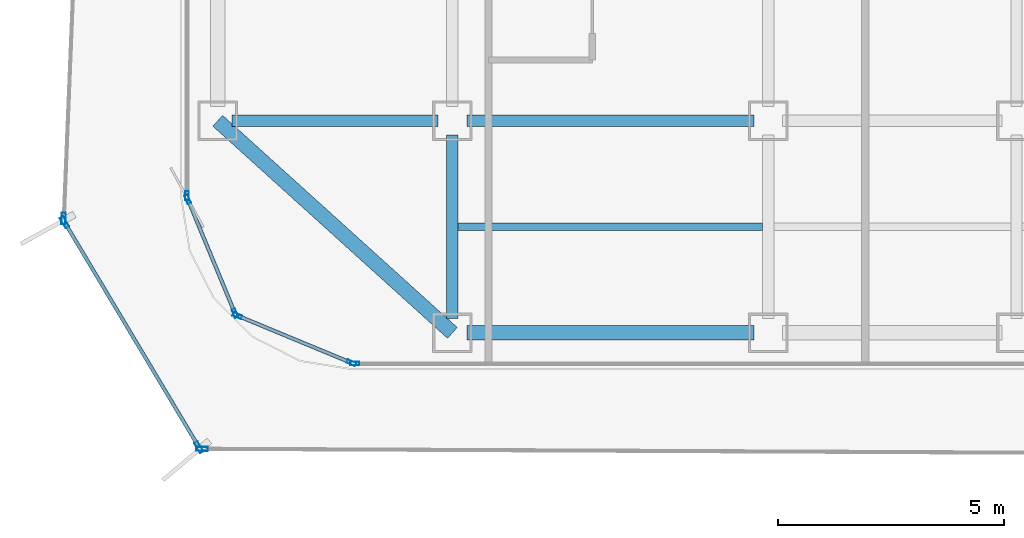
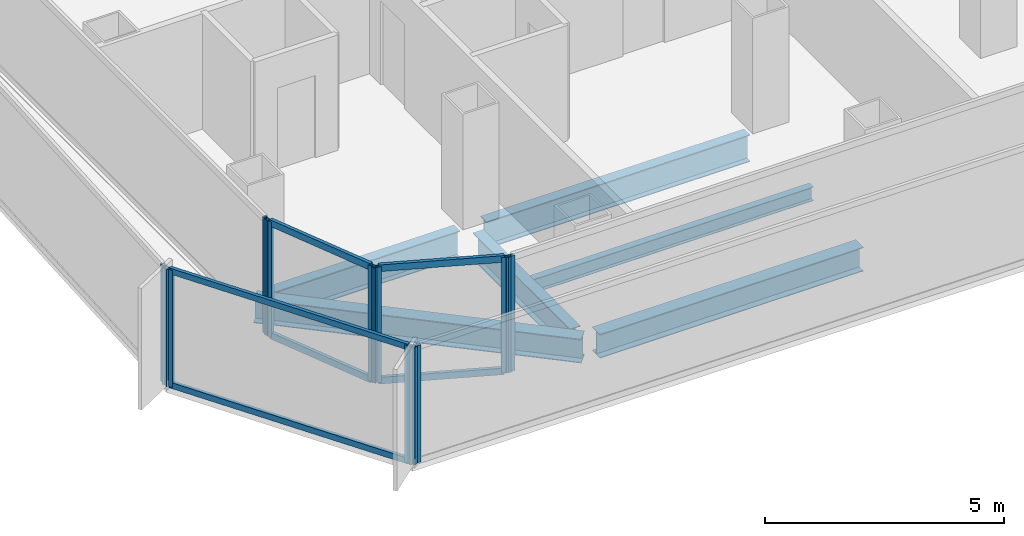
# One storey, part 2 of 21: 16 members, 6 beams, 7 elements without a shape of their own.
"""IFC4 building model written with IfcOpenShell, lengths in metres."""

from ifc_helpers import new_model, si_unit, direction, frame, origin, origin_2d, place, context, subcontext, project, spatial, hollow_rectangle, i_section, extrude, source, transform, mapped, material, layer, layer_set, material_profile, profile_set, type_object, element, aggregate, save


model = new_model("IFC4")

# Units and contexts
model_context = context("Model", 3, precision=1e-05, world=origin(), true_north=direction((0.0, 1.0)))
body_context = subcontext(model_context, "Body", "Model", "MODEL_VIEW")
ifc_project = project(units=[si_unit("LENGTHUNIT", "METRE"), si_unit("AREAUNIT", "SQUARE_METRE"), si_unit("VOLUMEUNIT", "CUBIC_METRE"), si_unit("PLANEANGLEUNIT", "RADIAN"), si_unit("MASSUNIT", "GRAM", prefix="KILO")], contexts=[model_context])

# Site, building, storey
site_placement = place(None, origin())
site = spatial("IfcSite", under=ifc_project, at=site_placement, CompositionType="ELEMENT")
building_placement = place(site_placement, origin())
building = spatial("IfcBuilding", under=site, at=building_placement, Name="Kolveth Station Tower", CompositionType="ELEMENT")
storey_placement = place(building_placement, frame((0.0, 0.0, 92.699951171875)))
storey = spatial("IfcBuildingStorey", under=building, at=storey_placement, Name="L24", CompositionType="ELEMENT", Elevation=92.699951171875)

# Beams
ifc_material_1 = material(Name="Steel S355", Category="steel")
ifc_material_profile_1 = material_profile(ifc_material_1, i_section(OverallWidth=0.323974609375, OverallDepth=0.611083984375, WebThickness=0.0126953125, FlangeThickness=0.01904296875, at=origin_2d()), Name="W610x155")
ifc_profile_set_1 = profile_set([ifc_material_profile_1], Name="Steel S355")
beam_type_1 = type_object("IfcBeamType", Name="Beam_SP2", PredefinedType="SPANDREL", material=ifc_profile_set_1)
shared_shape_1 = source(origin(), body_context, "Body", "SweptSolid", [
    extrude(i_section(OverallWidth=0.323974609375, OverallDepth=0.611083984375, WebThickness=0.0126953125, FlangeThickness=0.01904296875, at=origin_2d()), origin(), (0.0, 0.0, 1.0), 6.35986328125),
])
beam_1_placement = place(storey_placement, frame((6.320068359375, 0.800048828125, -0.555419921875), z_axis=(1.0, 0.0, 0.0), x_axis=(0.0, 1.0, 0.0)))
element("IfcBeam", 1, at=beam_1_placement, inside=storey, type_object=beam_type_1, Name="L24 Perimeter Spandrel BM-L24-PS-1", PredefinedType="SPANDREL", context=body_context, shape_type="MappedRepresentation", body=[
    mapped(shared_shape_1, transform((0.0, 0.0, 0.0), x_axis=(1.0, 0.0, 0.0), y_axis=(0.0, 1.0, 0.0), z_axis=(0.0, 0.0, 1.0), scale=1.0)),
])
shared_shape_2 = source(origin(), body_context, "Body", "SweptSolid", [
    extrude(i_section(OverallWidth=0.323974609375, OverallDepth=0.611083984375, WebThickness=0.0126953125, FlangeThickness=0.01904296875, at=origin_2d()), origin(), (0.0, 0.0, 1.0), 7.00927734375),
])
beam_2_placement = place(storey_placement, frame((0.800048828125, 5.5, -0.555419921875), z_axis=(0.741874009795, -0.670539300557, 0.0), x_axis=(0.670539300557, 0.741874009795, 0.0)))
element("IfcBeam", 2, at=beam_2_placement, inside=storey, type_object=beam_type_1, Name="L24 Corner Edge Girder BM-L24-CNR-SW", PredefinedType="SPANDREL", context=body_context, shape_type="MappedRepresentation", body=[
    mapped(shared_shape_2, transform((0.0, 0.0, 0.0), x_axis=(1.0, 0.0, 0.0), y_axis=(0.0, 1.0, 0.0), z_axis=(0.0, 0.0, 1.0), scale=1.0)),
])
ifc_material_profile_2 = material_profile(ifc_material_1, i_section(OverallWidth=0.25390625, OverallDepth=0.68798828125, WebThickness=0.01318359375, FlangeThickness=0.02099609375, at=origin_2d()), Name="W690x152")
ifc_profile_set_2 = profile_set([ifc_material_profile_2], Name="Steel S355")
beam_type_2 = type_object("IfcBeamType", Name="Beam_B4", PredefinedType="BEAM", material=ifc_profile_set_2)
shared_shape_3 = source(origin(), body_context, "Body", "SweptSolid", [
    extrude(i_section(OverallWidth=0.25390625, OverallDepth=0.68798828125, WebThickness=0.01318359375, FlangeThickness=0.02099609375, at=origin_2d()), origin(), (0.0, 0.0, 1.0), 4.559814453125),
])
beam_3_placement = place(storey_placement, frame((1.1201171875, 5.5, -0.593994140625), z_axis=(1.0, 0.0, 0.0), x_axis=(0.0, 1.0, 0.0)))
element("IfcBeam", 3, at=beam_3_placement, inside=storey, type_object=beam_type_2, Name="L24 Primary Girder BM-L24-GY55-1", PredefinedType="BEAM", context=body_context, shape_type="MappedRepresentation", body=[
    mapped(shared_shape_3, transform((0.0, 0.0, 0.0), x_axis=(1.0, 0.0, 0.0), y_axis=(0.0, 1.0, 0.0), z_axis=(0.0, 0.0, 1.0), scale=1.0)),
])
shared_shape_4 = source(origin(), body_context, "Body", "SweptSolid", [
    extrude(i_section(OverallWidth=0.25390625, OverallDepth=0.68798828125, WebThickness=0.01318359375, FlangeThickness=0.02099609375, at=origin_2d()), origin(), (0.0, 0.0, 1.0), 6.35986328125),
])
beam_4_placement = place(storey_placement, frame((6.320068359375, 5.5, -0.593994140625), z_axis=(1.0, 0.0, 0.0), x_axis=(0.0, 1.0, 0.0)))
element("IfcBeam", 4, at=beam_4_placement, inside=storey, type_object=beam_type_2, Name="L24 Primary Girder BM-L24-GY55-2", PredefinedType="BEAM", context=body_context, shape_type="MappedRepresentation", body=[
    mapped(shared_shape_4, transform((0.0, 0.0, 0.0), x_axis=(1.0, 0.0, 0.0), y_axis=(0.0, 1.0, 0.0), z_axis=(0.0, 0.0, 1.0), scale=1.0)),
])
shared_shape_5 = source(origin(), body_context, "Body", "SweptSolid", [
    extrude(i_section(OverallWidth=0.25390625, OverallDepth=0.68798828125, WebThickness=0.01318359375, FlangeThickness=0.02099609375, at=origin_2d()), origin(), (0.0, 0.0, 1.0), 4.059814453125),
])
beam_5_placement = place(storey_placement, frame((6.0, 1.1201171875, -0.593994140625), z_axis=(0.0, 1.0, 0.0), x_axis=(-1.0, 0.0, 0.0)))
element("IfcBeam", 5, at=beam_5_placement, inside=storey, type_object=beam_type_2, Name="L24 Primary Girder BM-L24-GX60-1", PredefinedType="BEAM", context=body_context, shape_type="MappedRepresentation", body=[
    mapped(shared_shape_5, transform((0.0, 0.0, 0.0), x_axis=(1.0, 0.0, 0.0), y_axis=(0.0, 1.0, 0.0), z_axis=(0.0, 0.0, 1.0), scale=1.0)),
])
ifc_material_profile_3 = material_profile(ifc_material_1, i_section(OverallWidth=0.1708984375, OverallDepth=0.35205078125, WebThickness=0.0068359375, FlangeThickness=0.009765625, at=origin_2d()), Name="W360x44")
ifc_profile_set_3 = profile_set([ifc_material_profile_3], Name="Steel S355")
beam_type_3 = type_object("IfcBeamType", Name="Beam_J2", PredefinedType="JOIST", material=ifc_profile_set_3)
shared_shape_6 = source(origin(), body_context, "Body", "SweptSolid", [
    extrude(i_section(OverallWidth=0.1708984375, OverallDepth=0.35205078125, WebThickness=0.0068359375, FlangeThickness=0.009765625, at=origin_2d()), origin(), (0.0, 0.0, 1.0), 6.75),
])
beam_6_placement = place(storey_placement, frame((6.125, 3.14990234375, -0.426025390625), z_axis=(1.0, 0.0, 0.0), x_axis=(0.0, 1.0, 0.0)))
element("IfcBeam", 6, at=beam_6_placement, inside=storey, type_object=beam_type_3, Name="L24 Secondary Joist JST-L24-2-1", PredefinedType="JOIST", context=body_context, shape_type="MappedRepresentation", body=[
    mapped(shared_shape_6, transform((0.0, 0.0, 0.0), x_axis=(1.0, 0.0, 0.0), y_axis=(0.0, 1.0, 0.0), z_axis=(0.0, 0.0, 1.0), scale=1.0)),
])

# Curtain wall, member
ifc_material_2 = material(Name="Aluminium 6063-T6 and low-E dark glass", Category="aluminium")
ifc_layer_1 = layer(ifc_material_2, 0.18994140625)
ifc_layer_set_1 = layer_set([ifc_layer_1], Name="Aluminium 6063-T6 and low-E dark glass")
curtain_wall_type_1 = type_object("IfcCurtainWallType", Name="CurtainWall_CW-Z2", PredefinedType="NOTDEFINED", material=ifc_layer_set_1)
curtain_wall_1_placement = place(storey_placement, origin())
curtain_wall_1 = element("IfcCurtainWall", 7, at=curtain_wall_1_placement, inside=storey, type_object=curtain_wall_type_1, Name="L24 Inner Thermal Curtain Wall 9", PredefinedType="NOTDEFINED")
ifc_material_3 = material(Name="Black anodized aluminium 6063-T6", Category="aluminium")
ifc_material_profile_4 = material_profile(ifc_material_3, hollow_rectangle(XDim=0.080078125, YDim=0.199951171875, WallThickness=0.0048828125, at=origin_2d()), Name="ALU-80x200x5")
ifc_profile_set_4 = profile_set([ifc_material_profile_4], Name="Black anodized aluminium 6063-T6")
member_type_1 = type_object("IfcMemberType", Name="Mullion_ML2", PredefinedType="MULLION", material=ifc_profile_set_4)
shared_shape_7 = source(origin(), body_context, "Body", "SweptSolid", [
    extrude(hollow_rectangle(XDim=0.080078125, YDim=0.199951171875, WallThickness=0.0048828125, at=origin_2d()), origin(), (0.0, 0.0, 1.0), 2.949951171875),
])
member_1_placement = place(storey_placement, frame((0.1201171875, 3.840087890625, 0.0), z_axis=(0.0, 0.0, 1.0), x_axis=(1.0, 0.0, 0.0)))
member_1 = element("IfcMember", 8, at=member_1_placement, type_object=member_type_1, Name="CW-Z2 mullion 2", PredefinedType="MULLION", context=body_context, shape_type="MappedRepresentation", body=[
    mapped(shared_shape_7, transform((0.0, 0.0, 0.0), x_axis=(1.0, 0.0, 0.0), y_axis=(0.0, 1.0, 0.0), z_axis=(0.0, 0.0, 1.0), scale=1.0)),
])
aggregate(curtain_wall_1, [member_1])

# Curtain wall, members
curtain_wall_2_placement = place(storey_placement, origin())
curtain_wall_2 = element("IfcCurtainWall", 9, at=curtain_wall_2_placement, inside=storey, type_object=curtain_wall_type_1, Name="L24 Inner Thermal Curtain Wall 10", PredefinedType="NOTDEFINED")
member_2_placement = place(storey_placement, frame((0.13525390625, 3.762939453125, 0.0), z_axis=(0.0, 0.0, 1.0), x_axis=(0.923887883787, 0.38266326998, 0.0)))
member_2 = element("IfcMember", 10, at=member_2_placement, type_object=member_type_1, Name="CW-Z2 mullion 1", PredefinedType="MULLION", context=body_context, shape_type="MappedRepresentation", body=[
    mapped(shared_shape_7, transform((0.0, 0.0, 0.0), x_axis=(1.0, 0.0, 0.0), y_axis=(0.0, 1.0, 0.0), z_axis=(0.0, 0.0, 1.0), scale=1.0)),
])
member_3_placement = place(storey_placement, frame((1.182373046875, 1.23486328125, 0.0), z_axis=(0.0, 0.0, 1.0), x_axis=(0.923887883787, 0.38266326998, 0.0)))
member_3 = element("IfcMember", 11, at=member_3_placement, type_object=member_type_1, Name="CW-Z2 mullion 2", PredefinedType="MULLION", context=body_context, shape_type="MappedRepresentation", body=[
    mapped(shared_shape_7, transform((0.0, 0.0, 0.0), x_axis=(1.0, 0.0, 0.0), y_axis=(0.0, 1.0, 0.0), z_axis=(0.0, 0.0, 1.0), scale=1.0)),
])

curtain_wall_3_placement = place(storey_placement, origin())
curtain_wall_3 = element("IfcCurtainWall", 12, at=curtain_wall_3_placement, inside=storey, type_object=curtain_wall_type_1, Name="L24 Inner Thermal Curtain Wall 11", PredefinedType="NOTDEFINED")
member_4_placement = place(storey_placement, frame((1.23486328125, 1.182373046875, 0.0), z_axis=(0.0, 0.0, 1.0), x_axis=(0.38266326998, 0.923887883787, 0.0)))
member_4 = element("IfcMember", 13, at=member_4_placement, type_object=member_type_1, Name="CW-Z2 mullion 1", PredefinedType="MULLION", context=body_context, shape_type="MappedRepresentation", body=[
    mapped(shared_shape_7, transform((0.0, 0.0, 0.0), x_axis=(1.0, 0.0, 0.0), y_axis=(0.0, 1.0, 0.0), z_axis=(0.0, 0.0, 1.0), scale=1.0)),
])
member_5_placement = place(storey_placement, frame((3.762939453125, 0.13525390625, 0.0), z_axis=(0.0, 0.0, 1.0), x_axis=(0.38266326998, 0.923887883787, 0.0)))
member_5 = element("IfcMember", 14, at=member_5_placement, type_object=member_type_1, Name="CW-Z2 mullion 2", PredefinedType="MULLION", context=body_context, shape_type="MappedRepresentation", body=[
    mapped(shared_shape_7, transform((0.0, 0.0, 0.0), x_axis=(1.0, 0.0, 0.0), y_axis=(0.0, 1.0, 0.0), z_axis=(0.0, 0.0, 1.0), scale=1.0)),
])

# Curtain wall, member
curtain_wall_4_placement = place(storey_placement, origin())
curtain_wall_4 = element("IfcCurtainWall", 15, at=curtain_wall_4_placement, inside=storey, type_object=curtain_wall_type_1, Name="L24 Inner Thermal Curtain Wall 12", PredefinedType="NOTDEFINED")
member_6_placement = place(storey_placement, frame((3.840087890625, 0.1201171875, 0.0), z_axis=(0.0, 0.0, 1.0), x_axis=(0.0, 1.0, 0.0)))
member_6 = element("IfcMember", 16, at=member_6_placement, type_object=member_type_1, Name="CW-Z2 mullion 1", PredefinedType="MULLION", context=body_context, shape_type="MappedRepresentation", body=[
    mapped(shared_shape_7, transform((0.0, 0.0, 0.0), x_axis=(1.0, 0.0, 0.0), y_axis=(0.0, 1.0, 0.0), z_axis=(0.0, 0.0, 1.0), scale=1.0)),
])
aggregate(curtain_wall_4, [member_6])

# Member
ifc_material_profile_5 = material_profile(ifc_material_3, hollow_rectangle(XDim=0.080078125, YDim=0.169921875, WallThickness=0.0048828125, at=origin_2d()), Name="ALU-80x170x5")
ifc_profile_set_5 = profile_set([ifc_material_profile_5], Name="Black anodized aluminium 6063-T6")
member_type_2 = type_object("IfcMemberType", Name="Transom_TR2", PredefinedType="USERDEFINED", material=ifc_profile_set_5)
shared_shape_8 = source(origin(), body_context, "Body", "SweptSolid", [
    extrude(hollow_rectangle(XDim=0.080078125, YDim=0.169921875, WallThickness=0.0048828125, at=origin_2d()), origin(), (0.0, 0.0, 1.0), 2.656494140625),
])
member_7_placement = place(storey_placement, frame((0.150634765625, 3.72607421875, 0.0400390625), z_axis=(0.382676455475, -0.923882422403, 0.0), x_axis=(0.923882422403, 0.382676455475, 0.0)))
member_7 = element("IfcMember", 17, at=member_7_placement, type_object=member_type_2, Name="CW-Z2 transom 1.1", ObjectType="TRANSOM", PredefinedType="USERDEFINED", context=body_context, shape_type="MappedRepresentation", body=[
    mapped(shared_shape_8, transform((0.0, 0.0, 0.0), x_axis=(1.0, 0.0, 0.0), y_axis=(0.0, 1.0, 0.0), z_axis=(0.0, 0.0, 1.0), scale=1.0)),
])

member_8_placement = place(storey_placement, frame((0.150634765625, 3.72607421875, 2.91015625), z_axis=(0.382676455475, -0.923882422403, 0.0), x_axis=(0.923882422403, 0.382676455475, 0.0)))
member_8 = element("IfcMember", 18, at=member_8_placement, type_object=member_type_2, Name="CW-Z2 transom 1.2", ObjectType="TRANSOM", PredefinedType="USERDEFINED", context=body_context, shape_type="MappedRepresentation", body=[
    mapped(shared_shape_8, transform((0.0, 0.0, 0.0), x_axis=(1.0, 0.0, 0.0), y_axis=(0.0, 1.0, 0.0), z_axis=(0.0, 0.0, 1.0), scale=1.0)),
])

aggregate(curtain_wall_2, [member_2, member_3, member_7, member_8])

member_9_placement = place(storey_placement, frame((1.271728515625, 1.167236328125, 0.0400390625), z_axis=(0.923882422403, -0.382676455475, 0.0), x_axis=(0.382676455475, 0.923882422403, 0.0)))
member_9 = element("IfcMember", 19, at=member_9_placement, type_object=member_type_2, Name="CW-Z2 transom 1.1", ObjectType="TRANSOM", PredefinedType="USERDEFINED", context=body_context, shape_type="MappedRepresentation", body=[
    mapped(shared_shape_8, transform((0.0, 0.0, 0.0), x_axis=(1.0, 0.0, 0.0), y_axis=(0.0, 1.0, 0.0), z_axis=(0.0, 0.0, 1.0), scale=1.0)),
])

member_10_placement = place(storey_placement, frame((1.271728515625, 1.167236328125, 2.91015625), z_axis=(0.923882422403, -0.382676455475, 0.0), x_axis=(0.382676455475, 0.923882422403, 0.0)))
member_10 = element("IfcMember", 20, at=member_10_placement, type_object=member_type_2, Name="CW-Z2 transom 1.2", ObjectType="TRANSOM", PredefinedType="USERDEFINED", context=body_context, shape_type="MappedRepresentation", body=[
    mapped(shared_shape_8, transform((0.0, 0.0, 0.0), x_axis=(1.0, 0.0, 0.0), y_axis=(0.0, 1.0, 0.0), z_axis=(0.0, 0.0, 1.0), scale=1.0)),
])

aggregate(curtain_wall_3, [member_4, member_5, member_9, member_10])

# Curtain wall, member
ifc_material_4 = material(Name="Black anodized aluminium 6063-T6 and dark solar glass", Category="aluminium")
ifc_layer_2 = layer(ifc_material_4, 0.159912109375)
ifc_layer_set_2 = layer_set([ifc_layer_2], Name="Black anodized aluminium 6063-T6 and dark solar glass")
curtain_wall_type_2 = type_object("IfcCurtainWallType", Name="OUTER SKIN CW-OS", PredefinedType="NOTDEFINED", material=ifc_layer_set_2)
curtain_wall_5_placement = place(storey_placement, origin())
curtain_wall_5 = element("IfcCurtainWall", 21, at=curtain_wall_5_placement, inside=storey, type_object=curtain_wall_type_2, Name="L24 Outer Ventilated Skin Curtain Wall 6", PredefinedType="NOTDEFINED")
ifc_material_profile_6 = material_profile(ifc_material_3, hollow_rectangle(XDim=0.090087890625, YDim=0.260009765625, WallThickness=0.0048828125, at=origin_2d()), Name="ALU-90x260x5")
ifc_profile_set_6 = profile_set([ifc_material_profile_6], Name="Black anodized aluminium 6063-T6")
member_type_3 = type_object("IfcMemberType", Name="FIN MULLION ML-OS", PredefinedType="MULLION", material=ifc_profile_set_6)
shared_shape_9 = source(origin(), body_context, "Body", "SweptSolid", [
    extrude(hollow_rectangle(XDim=0.090087890625, YDim=0.260009765625, WallThickness=0.0048828125, at=origin_2d()), origin(), (0.0, 0.0, 1.0), 2.989990234375),
])
member_11_placement = place(storey_placement, frame((-2.615478515625, 3.33544921875, 0.0), z_axis=(0.0, 0.0, 1.0), x_axis=(0.999168119643, -0.040780739196, 0.0)))
member_11 = element("IfcMember", 22, at=member_11_placement, type_object=member_type_3, Name="CW-OS mullion 2", PredefinedType="MULLION", context=body_context, shape_type="MappedRepresentation", body=[
    mapped(shared_shape_9, transform((0.0, 0.0, 0.0), x_axis=(1.0, 0.0, 0.0), y_axis=(0.0, 1.0, 0.0), z_axis=(0.0, 0.0, 1.0), scale=1.0)),
])
aggregate(curtain_wall_5, [member_11])

# Curtain wall, members
curtain_wall_6_placement = place(storey_placement, origin())
curtain_wall_6 = element("IfcCurtainWall", 23, at=curtain_wall_6_placement, inside=storey, type_object=curtain_wall_type_2, Name="L24 Outer Ventilated Skin Curtain Wall 7", PredefinedType="NOTDEFINED")
member_12_placement = place(storey_placement, frame((-2.59423828125, 3.251953125, 0.0), z_axis=(0.0, 0.0, 1.0), x_axis=(0.858544617056, 0.512738861921, 0.0)))
member_12 = element("IfcMember", 24, at=member_12_placement, type_object=member_type_3, Name="CW-OS mullion 1", PredefinedType="MULLION", context=body_context, shape_type="MappedRepresentation", body=[
    mapped(shared_shape_9, transform((0.0, 0.0, 0.0), x_axis=(1.0, 0.0, 0.0), y_axis=(0.0, 1.0, 0.0), z_axis=(0.0, 0.0, 1.0), scale=1.0)),
])
member_13_placement = place(storey_placement, frame((0.3828125, -1.733154296875, 0.0), z_axis=(0.0, 0.0, 1.0), x_axis=(0.858544617056, 0.512738861921, 0.0)))
member_13 = element("IfcMember", 25, at=member_13_placement, type_object=member_type_3, Name="CW-OS mullion 2", PredefinedType="MULLION", context=body_context, shape_type="MappedRepresentation", body=[
    mapped(shared_shape_9, transform((0.0, 0.0, 0.0), x_axis=(1.0, 0.0, 0.0), y_axis=(0.0, 1.0, 0.0), z_axis=(0.0, 0.0, 1.0), scale=1.0)),
])

# Curtain wall, member
curtain_wall_7_placement = place(storey_placement, origin())
curtain_wall_7 = element("IfcCurtainWall", 26, at=curtain_wall_7_placement, inside=storey, type_object=curtain_wall_type_2, Name="L24 Outer Ventilated Skin Curtain Wall 8", PredefinedType="NOTDEFINED")
member_14_placement = place(storey_placement, frame((0.450927734375, -1.77197265625, 0.0), z_axis=(0.0, 0.0, 1.0), x_axis=(0.004783441872, 0.999988559276, 0.0)))
member_14 = element("IfcMember", 27, at=member_14_placement, type_object=member_type_3, Name="CW-OS mullion 1", PredefinedType="MULLION", context=body_context, shape_type="MappedRepresentation", body=[
    mapped(shared_shape_9, transform((0.0, 0.0, 0.0), x_axis=(1.0, 0.0, 0.0), y_axis=(0.0, 1.0, 0.0), z_axis=(0.0, 0.0, 1.0), scale=1.0)),
])
aggregate(curtain_wall_7, [member_14])

# Member
ifc_material_profile_7 = material_profile(ifc_material_3, hollow_rectangle(XDim=0.080078125, YDim=0.14990234375, WallThickness=0.0048828125, at=origin_2d()), Name="ALU-80x150x5")
ifc_profile_set_7 = profile_set([ifc_material_profile_7], Name="Black anodized aluminium 6063-T6")
member_type_4 = type_object("IfcMemberType", Name="Transom_TR-OS", PredefinedType="USERDEFINED", material=ifc_profile_set_7)
shared_shape_10 = source(origin(), body_context, "Body", "SweptSolid", [
    extrude(hollow_rectangle(XDim=0.080078125, YDim=0.14990234375, WallThickness=0.0048828125, at=origin_2d()), origin(), (0.0, 0.0, 1.0), 5.71630859375),
])
member_15_placement = place(storey_placement, frame((-2.5712890625, 3.213134765625, 0.0400390625), z_axis=(0.512761231408, -0.858531257186, 0.0), x_axis=(0.858531257186, 0.512761231408, 0.0)))
member_15 = element("IfcMember", 28, at=member_15_placement, type_object=member_type_4, Name="CW-OS transom 1.1", ObjectType="TRANSOM", PredefinedType="USERDEFINED", context=body_context, shape_type="MappedRepresentation", body=[
    mapped(shared_shape_10, transform((0.0, 0.0, 0.0), x_axis=(1.0, 0.0, 0.0), y_axis=(0.0, 1.0, 0.0), z_axis=(0.0, 0.0, 1.0), scale=1.0)),
])

member_16_placement = place(storey_placement, frame((-2.5712890625, 3.213134765625, 2.949951171875), z_axis=(0.512761231408, -0.858531257186, 0.0), x_axis=(0.858531257186, 0.512761231408, 0.0)))
member_16 = element("IfcMember", 29, at=member_16_placement, type_object=member_type_4, Name="CW-OS transom 1.2", ObjectType="TRANSOM", PredefinedType="USERDEFINED", context=body_context, shape_type="MappedRepresentation", body=[
    mapped(shared_shape_10, transform((0.0, 0.0, 0.0), x_axis=(1.0, 0.0, 0.0), y_axis=(0.0, 1.0, 0.0), z_axis=(0.0, 0.0, 1.0), scale=1.0)),
])

aggregate(curtain_wall_6, [member_12, member_13, member_15, member_16])

save(model, "model.ifc")
